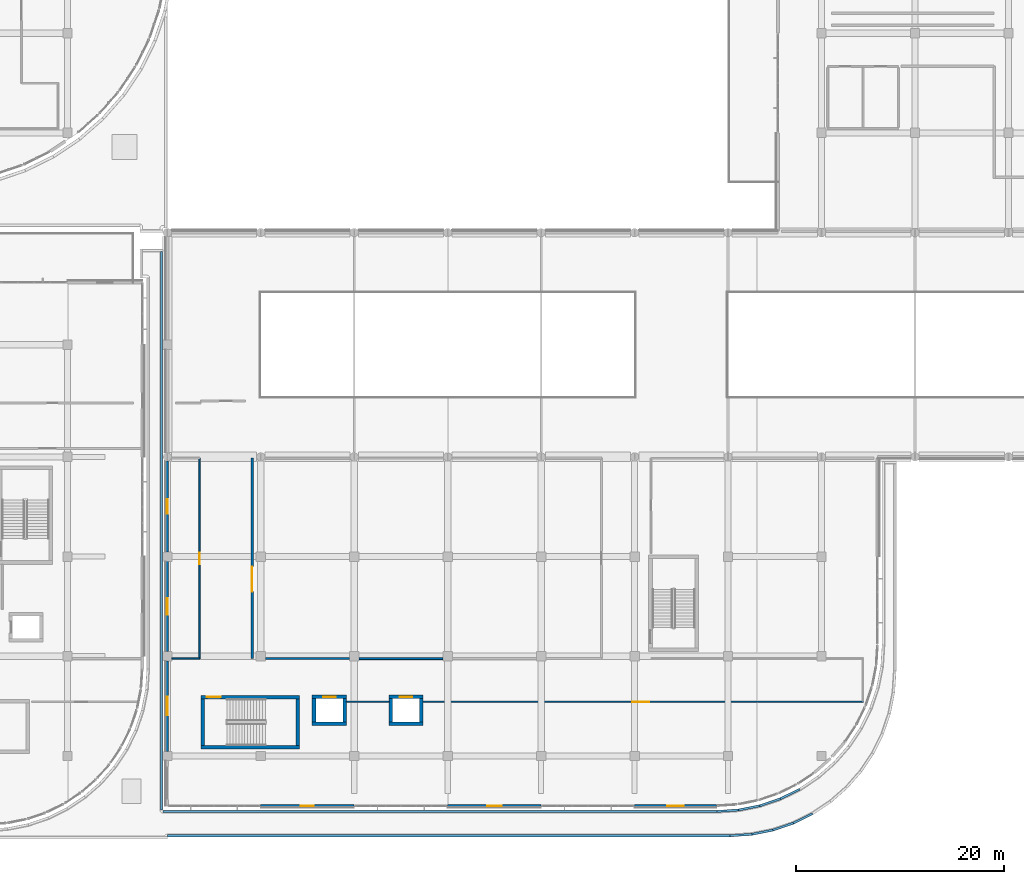
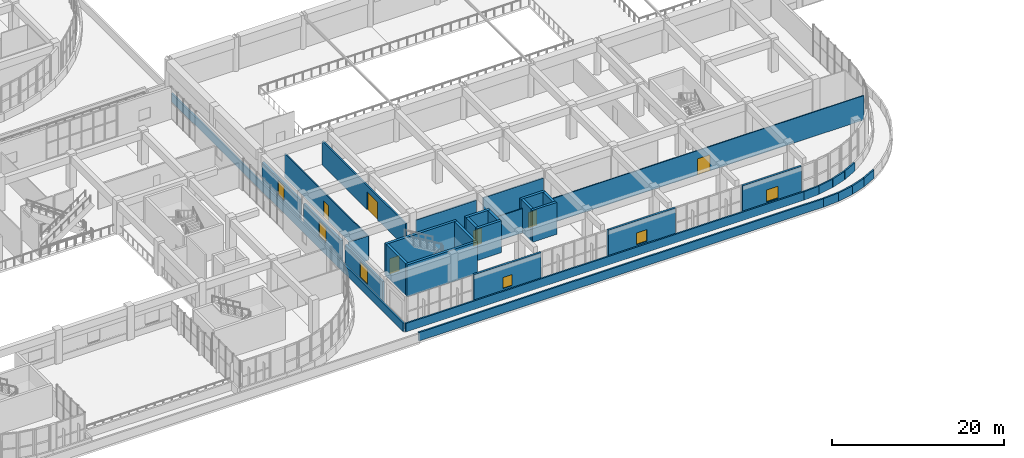
# One storey, part 65 of 96: 36 walls, 6 doors, 6 windows, 12 openings.
"""IFC4 building model written with IfcOpenShell, lengths in metres."""

import ifcopenshell
import ifcopenshell.guid

model = None  # the IFC model being written
_history = None  # IfcOwnerHistory: only IFC2X3 demands one
_inside = {}  # id of a spatial element -> (the spatial element, [elements in it])
_under = {}  # id of a project, library or spatial element -> (it, [spatial elements below it])
_declared = {}  # id of a project -> (the project, [libraries it declares])
_typed = {}  # id of a type object -> (the type object, [elements of that type])
_made_of = {}  # id of a material, layer set ... -> (it, [elements and type objects made of it])


def new_model(schema):
    """Start an empty IFC model of exactly this schema.

    Asked for "IFC4X3", IfcOpenShell would pick the latest addendum, in which some entities
    have other attributes; the version numbers below select the first issue.
    IFC2X3 requires an IfcOwnerHistory on every rooted entity: one is made here for all.
    """
    global model, _history
    if schema == "IFC4X3":
        model = ifcopenshell.file(schema_version=(4, 3, 0, 0))
    else:
        model = ifcopenshell.file(schema=schema)
    _inside.clear()
    _under.clear()
    _declared.clear()
    _typed.clear()
    _made_of.clear()
    _history = None
    if model.schema == "IFC2X3":
        org = make("IfcOrganization", Name="unknown")
        user = make(
            "IfcPersonAndOrganization",
            ThePerson=make("IfcPerson", FamilyName="unknown"),
            TheOrganization=org,
        )
        app = make(
            "IfcApplication",
            ApplicationDeveloper=org,
            Version="unknown",
            ApplicationFullName="unknown",
            ApplicationIdentifier="unknown",
        )
        _history = make(
            "IfcOwnerHistory",
            OwningUser=user,
            OwningApplication=app,
            ChangeAction="ADDED",
            CreationDate=0,
        )
    return model


def make(cls, **values):
    """One entity of the class cls with the attributes given. An attribute that is None is left unset."""
    return model.create_entity(
        cls, **{name: value for name, value in values.items() if value is not None}
    )


def rooted(cls, **values):
    """An entity with a GlobalId (a new one), such as an element, a storey or a relation."""
    return make(cls, GlobalId=ifcopenshell.guid.new(), OwnerHistory=_history, **values)


def si_unit(unit_type, name, prefix=None):
    """IfcSIUnit, for example si_unit("LENGTHUNIT", "METRE", prefix="MILLI")."""
    return make("IfcSIUnit", UnitType=unit_type, Prefix=prefix, Name=name)


def assignment(units):
    """IfcUnitAssignment: the units of a project."""
    return None if units is None else make("IfcUnitAssignment", Units=units)


def point(xyz):
    """IfcCartesianPoint."""
    return None if xyz is None else make("IfcCartesianPoint", Coordinates=xyz)


def direction(xyz):
    """IfcDirection."""
    return None if xyz is None else make("IfcDirection", DirectionRatios=xyz)


def frame(location, z_axis=None, x_axis=None):
    """IfcAxis2Placement3D, a coordinate frame: its origin and axes. An axis left out is left unset."""
    return make(
        "IfcAxis2Placement3D",
        Location=point(location),
        Axis=direction(z_axis),
        RefDirection=direction(x_axis),
    )


def frame_2d(location, x_axis=None):
    """IfcAxis2Placement2D, a coordinate frame in the plane: its origin and x axis."""
    return make(
        "IfcAxis2Placement2D", Location=point(location), RefDirection=direction(x_axis)
    )


def origin():
    """The frame at (0, 0, 0) with its axes left unset."""
    return frame((0.0, 0.0, 0.0))


def place(relative_to, where):
    """IfcLocalPlacement: puts the frame where relative to a parent placement (None: the world)."""
    return make(
        "IfcLocalPlacement", PlacementRelTo=relative_to, RelativePlacement=where
    )


def context(
    kind, dimensions, precision=None, world=None, true_north=None, identifier=None
):
    """IfcGeometricRepresentationContext, for example the 3D "Model" context."""
    return make(
        "IfcGeometricRepresentationContext",
        ContextIdentifier=identifier,
        ContextType=kind,
        CoordinateSpaceDimension=dimensions,
        Precision=precision,
        WorldCoordinateSystem=world,
        TrueNorth=true_north,
    )


def subcontext(parent, identifier, kind, view, scale=None):
    """IfcGeometricRepresentationSubContext, for example "Body" below "Model"."""
    return make(
        "IfcGeometricRepresentationSubContext",
        ContextIdentifier=identifier,
        ContextType=kind,
        ParentContext=parent,
        TargetScale=scale,
        TargetView=view,
    )


def project(units=None, contexts=None):
    """IfcProject with its units and contexts."""
    return rooted(
        "IfcProject",
        Name="project",
        RepresentationContexts=contexts,
        UnitsInContext=assignment(units),
    )


def spatial(cls, under=None, at=None, **own):
    """A site, building, storey or space (cls), placed at a placement, below another one or the project."""
    s = rooted(cls, ObjectPlacement=at, **own)
    if under is not None:
        _under.setdefault(under.id(), (under, []))[1].append(s)
    return s


def profile(cls, at=None, kind="AREA", **sizes):
    """A parametric profile (cls). Its sizes go by their IFC names, for example OverallWidth=200.0."""
    return make(cls, ProfileType=kind, Position=at, **sizes)


def rectangle(**sizes):
    """IfcRectangleProfileDef."""
    return profile("IfcRectangleProfileDef", **sizes)


def extrude(swept, where, along, depth):
    """IfcExtrudedAreaSolid: the profile swept, set in the frame where, extruded along a direction by depth."""
    return make(
        "IfcExtrudedAreaSolid",
        SweptArea=swept,
        Position=where,
        ExtrudedDirection=direction(along),
        Depth=depth,
    )


def shape(context_of_items, identifier, shape_type, items):
    """IfcShapeRepresentation: the items that make up one representation, for example the "Body"."""
    return make(
        "IfcShapeRepresentation",
        ContextOfItems=context_of_items,
        RepresentationIdentifier=identifier,
        RepresentationType=shape_type,
        Items=items,
    )


def material(Name=None, Category=None):
    """IfcMaterial."""
    return make("IfcMaterial", Name=Name, Category=Category)


def layer(
    of_material, thickness, ventilated=None, Name=None, Category=None, Priority=None
):
    """IfcMaterialLayer: one layer of a wall or slab, of a material (None: an air gap)."""
    return make(
        "IfcMaterialLayer",
        Material=of_material,
        LayerThickness=thickness,
        IsVentilated=ventilated,
        Name=Name,
        Category=Category,
        Priority=Priority,
    )


def layer_set(layers, Name=None):
    """IfcMaterialLayerSet."""
    return make("IfcMaterialLayerSet", MaterialLayers=layers, LayerSetName=Name)


def made_of(thing, what):
    """Note that an element or type object is made of a material, layer set ...; save() writes the relation."""
    if what is not None:
        _made_of.setdefault(what.id(), (what, []))[1].append(thing)
    return thing


def type_object(cls, material=None, **own):
    """A type object (cls), such as IfcWallType, which elements share."""
    return made_of(rooted(cls, **own), material)


def element(
    cls,
    number,
    at=None,
    inside=None,
    cuts=None,
    type_object=None,
    material=None,
    context=None,
    identifier="Body",
    shape_type=None,
    held_by="IfcProductDefinitionShape",
    body=None,
    shapes=None,
    **own,
):
    """One element of the class cls, such as IfcWall. Its Tag is "e" and its number.

    at: its placement. inside: the storey or other place that contains it. cuts: it is an
    opening in that element (IfcRelVoidsElement). A single representation is given by context,
    identifier, shape_type and body (its items); several are given by shapes. held_by: the class
    of the entity that holds the representations. save() writes the other relations.
    """
    e = rooted(cls, Tag="e%d" % number, ObjectPlacement=at, **own)
    if body is not None:
        shapes = [shape(context, identifier, shape_type, body)]
    if shapes is not None:
        e.Representation = make(held_by, Representations=shapes)
    if inside is not None:
        _inside.setdefault(inside.id(), (inside, []))[1].append(e)
    if cuts is not None:
        rooted(
            "IfcRelVoidsElement", RelatingBuildingElement=cuts, RelatedOpeningElement=e
        )
    if type_object is not None:
        _typed.setdefault(type_object.id(), (type_object, []))[1].append(e)
    return made_of(e, material)


def fill(opening, filler):
    """IfcRelFillsElement: the door or window that sits in an opening."""
    return rooted(
        "IfcRelFillsElement",
        RelatingOpeningElement=opening,
        RelatedBuildingElement=filler,
    )


def aggregate(whole, parts):
    """IfcRelAggregates: a whole, such as a stair, and the parts it consists of."""
    return rooted("IfcRelAggregates", RelatingObject=whole, RelatedObjects=parts)


def save(model, path):
    """Write the relations noted so far, then the file.

    IfcRelAggregates (storeys below a building ...), IfcRelContainedInSpatialStructure (elements
    in a storey), IfcRelDefinesByType, IfcRelAssociatesMaterial and IfcRelDeclares: one each for
    every whole, place, type object, material and project.
    """
    for whole, parts in _under.values():
        aggregate(whole, parts)
    for where, things in _inside.values():
        rooted(
            "IfcRelContainedInSpatialStructure",
            RelatedElements=things,
            RelatingStructure=where,
        )
    for kind, things in _typed.values():
        rooted("IfcRelDefinesByType", RelatedObjects=things, RelatingType=kind)
    for what, things in _made_of.values():
        rooted("IfcRelAssociatesMaterial", RelatedObjects=things, RelatingMaterial=what)
    for by, libraries in _declared.values():
        rooted("IfcRelDeclares", RelatingContext=by, RelatedDefinitions=libraries)
    model.write(path)


model = new_model("IFC4")

# Units and contexts
model_context = context("Model", 3, precision=1e-05, world=origin(), true_north=direction((0.0, 1.0)))
body_context = subcontext(model_context, "Body", "Model", "MODEL_VIEW")
ifc_project = project(units=[si_unit("LENGTHUNIT", "METRE"), si_unit("AREAUNIT", "SQUARE_METRE"), si_unit("VOLUMEUNIT", "CUBIC_METRE"), si_unit("PLANEANGLEUNIT", "RADIAN"), si_unit("MASSUNIT", "GRAM", prefix="KILO")], contexts=[model_context])

# Site, building, storey
site_placement = place(None, origin())
site = spatial("IfcSite", under=ifc_project, at=site_placement, CompositionType="ELEMENT")
building_placement = place(site_placement, origin())
building = spatial("IfcBuilding", under=site, at=building_placement, Name="Cendralis Terraced Arcade", CompositionType="ELEMENT")
storey_placement = place(building_placement, frame((0.0, 0.0, 10.199951171875)))
storey = spatial("IfcBuildingStorey", under=building, at=storey_placement, Name="L02", CompositionType="ELEMENT", Elevation=10.199951171875)

# Wall
ifc_material_1 = material(Name="Gypsum plasterboard acoustic partition", Category="concrete")
ifc_layer_1 = layer(ifc_material_1, 0.195068359375, Name="WL-ACOU-195")
ifc_layer_set_1 = layer_set([ifc_layer_1], Name="Gypsum plasterboard acoustic partition")
wall_type_1 = type_object("IfcWallType", Name="WL-ACOU-195", PredefinedType="PARTITIONING", material=ifc_layer_set_1)
wall_1_placement = place(storey_placement, frame((84.72998046875, 18.97998046875, 0.0), z_axis=(0.0, 0.0, 1.0), x_axis=(-1.0, 0.0, 0.0)))
element("IfcWall", 1, at=wall_1_placement, inside=storey, type_object=wall_type_1, Name="Interior Partition Wall IW-L02-0488", PredefinedType="PARTITIONING", context=body_context, shape_type="SweptSolid", body=[
    extrude(rectangle(XDim=8.06005859375, YDim=0.195068359375, at=frame_2d((4.030029296875, 0.0))), origin(), (0.0, 0.0, 1.0), 3.455078125),
])

# Wall, opening, door
ifc_layer_2 = layer(ifc_material_1, 0.205078125, Name="WL-ACOU-205")
ifc_layer_set_2 = layer_set([ifc_layer_2], Name="Gypsum plasterboard acoustic partition")
wall_type_2 = type_object("IfcWallType", Name="WL-ACOU-205", PredefinedType="PARTITIONING", material=ifc_layer_set_2)
wall_2_placement = place(storey_placement, frame((75.3798828125, 18.97998046875, 0.0), z_axis=(0.0, 0.0, 1.0), x_axis=(0.0, 1.0, 0.0)))
wall_2 = element("IfcWall", 2, at=wall_2_placement, inside=storey, type_object=wall_type_2, Name="Interior Partition Wall IW-L02-0486", PredefinedType="PARTITIONING", context=body_context, shape_type="SweptSolid", body=[
    extrude(rectangle(XDim=19.300048828125, YDim=0.205078125, at=frame_2d((9.64990234375, 0.0))), origin(), (0.0, 0.0, 1.0), 3.39013671875),
])
opening_1_placement = place(wall_2_placement, frame((6.449951171875, 0.0, 0.0)))
opening_1 = element("IfcOpeningElement", 3, at=opening_1_placement, cuts=wall_2, Name="Opening D-L02-133", PredefinedType="OPENING", context=body_context, shape_type="SweptSolid", body=[
    extrude(rectangle(XDim=2.39990234375, YDim=2.550048828125, at=frame_2d((1.199951171875, 1.27490234375))), frame((0.0, 0.114501953125, 0.0), z_axis=(0.0, -1.0, 0.0), x_axis=(1.0, 0.0, 0.0)), (0.0, 0.0, 1.0), 0.22900390625),
])
ifc_material_2 = material(Name="Solid core Andean oak veneer door leaf", Category="aluminium")
door_type_1 = type_object("IfcDoorType", Name="ID-DEP-2400x2550", OperationType="DOUBLE_DOOR_SINGLE_SWING", PredefinedType="DOOR", material=ifc_material_2)
door_1_placement = place(opening_1_placement, origin())
door_1 = element("IfcDoor", 4, at=door_1_placement, inside=storey, type_object=door_type_1, Name="Artisan Coffee Roastery and Cafe Gallery Door D-L02-133", OperationType="DOUBLE_DOOR_SINGLE_SWING", OverallHeight=2.550048828125, OverallWidth=2.39990234375, PredefinedType="DOOR", context=body_context, shape_type="SweptSolid", body=[
    extrude(rectangle(XDim=2.39990234375, YDim=2.550048828125, at=frame_2d((1.199951171875, 1.27490234375))), frame((0.0, 0.02490234375, 0.0), z_axis=(0.0, -1.0, 0.0), x_axis=(1.0, 0.0, 0.0)), (0.0, 0.0, 1.0), 0.050048828125),
])
fill(opening_1, door_1)

# Wall
ifc_material_3 = material(Name="Concrete f'c 42 MPa", Category="concrete")
ifc_layer_3 = layer(ifc_material_3, 0.340087890625, Name="WL-CORE-340")
ifc_layer_set_3 = layer_set([ifc_layer_3], Name="Concrete f'c 42 MPa")
wall_type_3 = type_object("IfcWallType", Name="WL-CORE-340", PredefinedType="SHEAR", material=ifc_layer_set_3)
wall_3_placement = place(storey_placement, frame((70.4599609375, 10.429931640625, 0.0), z_axis=(0.0, 0.0, 1.0), x_axis=(1.0, 0.0, 0.0)))
element("IfcWall", 5, at=wall_3_placement, inside=storey, type_object=wall_type_3, Name="Stair Core Reinforced Concrete Shear Wall SW-ST-08-L02-S", PredefinedType="SHEAR", context=body_context, shape_type="SweptSolid", body=[
    extrude(rectangle(XDim=9.47998046875, YDim=0.340087890625, at=frame_2d((4.739990234375, 0.0))), origin(), (0.0, 0.0, 1.0), 4.51513671875),
])

# Wall, opening, door
wall_4_placement = place(storey_placement, frame((70.4599609375, 15.27001953125, 0.0), z_axis=(0.0, 0.0, 1.0), x_axis=(1.0, 0.0, 0.0)))
wall_4 = element("IfcWall", 6, at=wall_4_placement, inside=storey, type_object=wall_type_3, Name="Stair Core Reinforced Concrete Shear Wall SW-ST-08-L02-N", PredefinedType="SHEAR", context=body_context, shape_type="SweptSolid", body=[
    extrude(rectangle(XDim=9.47998046875, YDim=0.340087890625, at=frame_2d((4.739990234375, 0.0))), origin(), (0.0, 0.0, 1.0), 4.51513671875),
])
opening_2_placement = place(wall_4_placement, frame((0.550048828125, 0.0, 0.0)))
opening_2 = element("IfcOpeningElement", 7, at=opening_2_placement, cuts=wall_4, Name="Opening D-ST-08-L02", PredefinedType="OPENING", context=body_context, shape_type="SweptSolid", body=[
    extrude(rectangle(XDim=1.35009765625, YDim=2.199951171875, at=frame_2d((0.675048828125, 1.10009765625))), frame((0.0, 0.18212890625, 0.0), z_axis=(0.0, -1.0, 0.0), x_axis=(1.0, 0.0, 0.0)), (0.0, 0.0, 1.0), 0.364013671875),
])
ifc_material_4 = material(Name="Galvanised fire-rated steel door assembly", Category="steel")
door_type_2 = type_object("IfcDoorType", Name="ID-ST-1350x2200", OperationType="NOTDEFINED", PredefinedType="DOOR", material=ifc_material_4)
door_2_placement = place(opening_2_placement, frame((1.35009765625, 0.0, 0.0), z_axis=(0.0, 0.0, 1.0), x_axis=(-1.0, 0.0, 0.0)))
door_2 = element("IfcDoor", 8, at=door_2_placement, inside=storey, type_object=door_type_2, Name="Protected Stair ST-08 Fire Door (L02)", OperationType="SINGLE_SWING_RIGHT", OverallHeight=2.199951171875, OverallWidth=1.35009765625, PredefinedType="DOOR", context=body_context, shape_type="SweptSolid", body=[
    extrude(rectangle(XDim=1.35009765625, YDim=2.199951171875, at=frame_2d((0.675048828125, 1.10009765625))), frame((0.0, 0.02490234375, 0.0), z_axis=(0.0, -1.0, 0.0), x_axis=(1.0, 0.0, 0.0)), (0.0, 0.0, 1.0), 0.050048828125),
])
fill(opening_2, door_2)

# Walls
for number, where, z_axis, x_axis, name in (
    (9, (79.77001953125, 10.60009765625, 0.0), (0.0, 0.0, 1.0), (0.0, 1.0, 0.0), "Stair Core Reinforced Concrete Shear Wall SW-ST-08-L02-E"),
    (10, (70.6298828125, 10.60009765625, 0.0), (0.0, 0.0, 1.0), (0.0, 1.0, 0.0), "Stair Core Reinforced Concrete Shear Wall SW-ST-08-L02-W"),
):
    element("IfcWall", number, at=place(storey_placement, frame(where, z_axis=z_axis, x_axis=x_axis)), inside=storey, type_object=wall_type_3, Name=name, PredefinedType="SHEAR", context=body_context, shape_type="SweptSolid", body=[
        extrude(rectangle(XDim=4.5, YDim=0.340087890625, at=frame_2d((2.25, 0.0))), origin(), (0.0, 0.0, 1.0), 4.51513671875),
    ])
wall_5_placement = place(storey_placement, frame((81.159912109375, 12.705078125, 0.0), z_axis=(0.0, 0.0, 1.0), x_axis=(1.0, 0.0, 0.0)))
element("IfcWall", 11, at=wall_5_placement, inside=storey, type_object=wall_type_3, Name="Lift PL-07 Reinforced Concrete Shaft Wall (L02)", PredefinedType="SHEAR", context=body_context, shape_type="SweptSolid", body=[
    extrude(rectangle(XDim=3.280029296875, YDim=0.340087890625, at=frame_2d((1.64013671875, 0.0))), origin(), (0.0, 0.0, 1.0), 4.51513671875),
])

# Wall, opening, door
wall_6_placement = place(storey_placement, frame((81.159912109375, 15.294921875, 0.0), z_axis=(0.0, 0.0, 1.0), x_axis=(1.0, 0.0, 0.0)))
wall_6 = element("IfcWall", 12, at=wall_6_placement, inside=storey, type_object=wall_type_3, Name="Lift PL-07 Reinforced Concrete Shaft Wall (L02)", PredefinedType="SHEAR", context=body_context, shape_type="SweptSolid", body=[
    extrude(rectangle(XDim=3.280029296875, YDim=0.340087890625, at=frame_2d((1.64013671875, 0.0))), origin(), (0.0, 0.0, 1.0), 4.51513671875),
])
opening_3_placement = place(wall_6_placement, frame((1.0400390625, 0.0, 0.0)))
opening_3 = element("IfcOpeningElement", 13, at=opening_3_placement, cuts=wall_6, Name="Opening LD-PL-07-L02", PredefinedType="OPENING", context=body_context, shape_type="SweptSolid", body=[
    extrude(rectangle(XDim=1.199951171875, YDim=2.199951171875, at=frame_2d((0.60009765625, 1.10009765625))), frame((0.0, 0.18212890625, 0.0), z_axis=(0.0, -1.0, 0.0), x_axis=(1.0, 0.0, 0.0)), (0.0, 0.0, 1.0), 0.364013671875),
])
ifc_material_5 = material(Name="Anodised aluminium sliding door assembly", Category="aluminium")
door_type_3 = type_object("IfcDoorType", Name="ID-LD-PX-1200x2200", OperationType="DOUBLE_DOOR_SLIDING", PredefinedType="DOOR", material=ifc_material_5)
door_3_placement = place(opening_3_placement, origin())
door_3 = element("IfcDoor", 14, at=door_3_placement, inside=storey, type_object=door_type_3, Name="Lift PL-07 Sliding Landing Door (L02)", OperationType="DOUBLE_DOOR_SLIDING", OverallHeight=2.199951171875, OverallWidth=1.199951171875, PredefinedType="DOOR", context=body_context, shape_type="SweptSolid", body=[
    extrude(rectangle(XDim=1.199951171875, YDim=2.199951171875, at=frame_2d((0.60009765625, 1.10009765625))), frame((0.0, 0.02490234375, 0.0), z_axis=(0.0, -1.0, 0.0), x_axis=(1.0, 0.0, 0.0)), (0.0, 0.0, 1.0), 0.050048828125),
])
fill(opening_3, door_3)

# Walls
for number, where, z_axis, x_axis, name in (
    (15, (81.330078125, 12.875, 0.0), (0.0, 0.0, 1.0), (0.0, 1.0, 0.0), "Lift PL-07 Reinforced Concrete Shaft Wall (L02)"),
    (16, (84.27001953125, 12.875, 0.0), (0.0, 0.0, 1.0), (0.0, 1.0, 0.0), "Lift PL-07 Reinforced Concrete Shaft Wall (L02)"),
):
    element("IfcWall", number, at=place(storey_placement, frame(where, z_axis=z_axis, x_axis=x_axis)), inside=storey, type_object=wall_type_3, Name=name, PredefinedType="SHEAR", context=body_context, shape_type="SweptSolid", body=[
        extrude(rectangle(XDim=2.25, YDim=0.340087890625, at=frame_2d((1.125, 0.0))), origin(), (0.0, 0.0, 1.0), 4.51513671875),
    ])
wall_7_placement = place(storey_placement, frame((88.56005859375, 12.705078125, 0.0), z_axis=(0.0, 0.0, 1.0), x_axis=(1.0, 0.0, 0.0)))
element("IfcWall", 17, at=wall_7_placement, inside=storey, type_object=wall_type_3, Name="Lift PL-08 Reinforced Concrete Shaft Wall (L02)", PredefinedType="SHEAR", context=body_context, shape_type="SweptSolid", body=[
    extrude(rectangle(XDim=3.280029296875, YDim=0.340087890625, at=frame_2d((1.64013671875, 0.0))), origin(), (0.0, 0.0, 1.0), 4.51513671875),
])

# Wall, opening, door
wall_8_placement = place(storey_placement, frame((88.56005859375, 15.294921875, 0.0), z_axis=(0.0, 0.0, 1.0), x_axis=(1.0, 0.0, 0.0)))
wall_8 = element("IfcWall", 18, at=wall_8_placement, inside=storey, type_object=wall_type_3, Name="Lift PL-08 Reinforced Concrete Shaft Wall (L02)", PredefinedType="SHEAR", context=body_context, shape_type="SweptSolid", body=[
    extrude(rectangle(XDim=3.280029296875, YDim=0.340087890625, at=frame_2d((1.64013671875, 0.0))), origin(), (0.0, 0.0, 1.0), 4.51513671875),
])
opening_4_placement = place(wall_8_placement, frame((1.0400390625, 0.0, 0.0)))
opening_4 = element("IfcOpeningElement", 19, at=opening_4_placement, cuts=wall_8, Name="Opening LD-PL-08-L02", PredefinedType="OPENING", context=body_context, shape_type="SweptSolid", body=[
    extrude(rectangle(XDim=1.199951171875, YDim=2.199951171875, at=frame_2d((0.60009765625, 1.10009765625))), frame((0.0, 0.18212890625, 0.0), z_axis=(0.0, -1.0, 0.0), x_axis=(1.0, 0.0, 0.0)), (0.0, 0.0, 1.0), 0.364013671875),
])
door_4_placement = place(opening_4_placement, origin())
door_4 = element("IfcDoor", 20, at=door_4_placement, inside=storey, type_object=door_type_3, Name="Lift PL-08 Sliding Landing Door (L02)", OperationType="DOUBLE_DOOR_SLIDING", OverallHeight=2.199951171875, OverallWidth=1.199951171875, PredefinedType="DOOR", context=body_context, shape_type="SweptSolid", body=[
    extrude(rectangle(XDim=1.199951171875, YDim=2.199951171875, at=frame_2d((0.60009765625, 1.10009765625))), frame((0.0, 0.02490234375, 0.0), z_axis=(0.0, -1.0, 0.0), x_axis=(1.0, 0.0, 0.0)), (0.0, 0.0, 1.0), 0.050048828125),
])
fill(opening_4, door_4)

# Walls
for number, where, z_axis, x_axis, name in (
    (21, (88.72998046875, 12.875, 0.0), (0.0, 0.0, 1.0), (0.0, 1.0, 0.0), "Lift PL-08 Reinforced Concrete Shaft Wall (L02)"),
    (22, (91.669921875, 12.875, 0.0), (0.0, 0.0, 1.0), (0.0, 1.0, 0.0), "Lift PL-08 Reinforced Concrete Shaft Wall (L02)"),
):
    element("IfcWall", number, at=place(storey_placement, frame(where, z_axis=z_axis, x_axis=x_axis)), inside=storey, type_object=wall_type_3, Name=name, PredefinedType="SHEAR", context=body_context, shape_type="SweptSolid", body=[
        extrude(rectangle(XDim=2.25, YDim=0.340087890625, at=frame_2d((1.125, 0.0))), origin(), (0.0, 0.0, 1.0), 4.51513671875),
    ])

# Wall, opening, window
ifc_material_6 = material(Name="Terracotta clay masonry", Category="masonry")
ifc_layer_4 = layer(ifc_material_6, 0.264892578125, Name="WL-EXT-TER-265")
ifc_layer_set_4 = layer_set([ifc_layer_4], Name="Terracotta clay masonry")
wall_type_4 = type_object("IfcWallType", Name="WL-EXT-TER-265", PredefinedType="SOLIDWALL", material=ifc_layer_set_4)
wall_9_placement = place(storey_placement, frame((120.10009765625, 4.800048828125, 0.0), z_axis=(0.0, 0.0, 1.0), x_axis=(-1.0, 0.0, 0.0)))
wall_9 = element("IfcWall", 23, at=wall_9_placement, inside=storey, type_object=wall_type_4, Name="Exterior Architectural Wall EW-L02-0204", PredefinedType="SOLIDWALL", context=body_context, shape_type="SweptSolid", body=[
    extrude(rectangle(XDim=7.900146484375, YDim=0.264892578125, at=frame_2d((3.9501953125, 0.0))), origin(), (0.0, 0.0, 1.0), 4.51513671875),
])
opening_5_placement = place(wall_9_placement, frame((3.14990234375, 0.0, 1.10009765625)))
opening_5 = element("IfcOpeningElement", 24, at=opening_5_placement, cuts=wall_9, Name="Opening W-28", PredefinedType="OPENING", context=body_context, shape_type="SweptSolid", body=[
    extrude(rectangle(XDim=1.60009765625, YDim=1.699951171875, at=frame_2d((0.800048828125, 0.85009765625))), frame((0.0, 0.14453125, 0.0), z_axis=(0.0, -1.0, 0.0), x_axis=(1.0, 0.0, 0.0)), (0.0, 0.0, 1.0), 0.288818359375),
])
ifc_material_7 = material(Name="Tempered solar control laminated glass", Category="glass")
window_type_1 = type_object("IfcWindowType", Name="WN-F3-1600x1700", PartitioningType="SINGLE_PANEL", PredefinedType="WINDOW", material=ifc_material_7)
window_1_placement = place(opening_5_placement, origin())
window_1 = element("IfcWindow", 25, at=window_1_placement, inside=storey, type_object=window_type_1, Name="Exterior Solar-Control Window WN-L02-0124", OverallHeight=1.699951171875, OverallWidth=1.60009765625, PartitioningType="SINGLE_PANEL", PredefinedType="WINDOW", context=body_context, shape_type="SweptSolid", body=[
    extrude(rectangle(XDim=1.60009765625, YDim=1.699951171875, at=frame_2d((0.800048828125, 0.85009765625))), frame((0.0, 0.030029296875, 0.0), z_axis=(0.0, -1.0, 0.0), x_axis=(1.0, 0.0, 0.0)), (0.0, 0.0, 1.0), 0.06005859375),
])
fill(opening_5, window_1)

wall_10_placement = place(storey_placement, frame((103.199951171875, 4.800048828125, 0.0), z_axis=(0.0, 0.0, 1.0), x_axis=(-1.0, 0.0, 0.0)))
wall_10 = element("IfcWall", 26, at=wall_10_placement, inside=storey, type_object=wall_type_4, Name="Exterior Architectural Wall EW-L02-0205", PredefinedType="SOLIDWALL", context=body_context, shape_type="SweptSolid", body=[
    extrude(rectangle(XDim=9.0, YDim=0.264892578125, at=frame_2d((4.5, 0.0))), origin(), (0.0, 0.0, 1.0), 4.51513671875),
])
opening_6_placement = place(wall_10_placement, frame((3.800048828125, 0.0, 1.14990234375)))
opening_6 = element("IfcOpeningElement", 27, at=opening_6_placement, cuts=wall_10, Name="Opening W-29", PredefinedType="OPENING", context=body_context, shape_type="SweptSolid", body=[
    extrude(rectangle(XDim=1.39990234375, YDim=1.64990234375, at=frame_2d((0.699951171875, 0.824951171875))), frame((0.0, 0.14453125, 0.0), z_axis=(0.0, -1.0, 0.0), x_axis=(1.0, 0.0, 0.0)), (0.0, 0.0, 1.0), 0.288818359375),
])
window_type_2 = type_object("IfcWindowType", Name="WN-F3-1400x1650", PartitioningType="SINGLE_PANEL", PredefinedType="WINDOW", material=ifc_material_7)
window_2_placement = place(opening_6_placement, origin())
window_2 = element("IfcWindow", 28, at=window_2_placement, inside=storey, type_object=window_type_2, Name="Exterior Solar-Control Window WN-L02-0125", OverallHeight=1.64990234375, OverallWidth=1.39990234375, PartitioningType="SINGLE_PANEL", PredefinedType="WINDOW", context=body_context, shape_type="SweptSolid", body=[
    extrude(rectangle(XDim=1.39990234375, YDim=1.64990234375, at=frame_2d((0.699951171875, 0.824951171875))), frame((0.0, 0.030029296875, 0.0), z_axis=(0.0, -1.0, 0.0), x_axis=(1.0, 0.0, 0.0)), (0.0, 0.0, 1.0), 0.06005859375),
])
fill(opening_6, window_2)

wall_11_placement = place(storey_placement, frame((85.199951171875, 4.800048828125, 0.0), z_axis=(0.0, 0.0, 1.0), x_axis=(-1.0, 0.0, 0.0)))
wall_11 = element("IfcWall", 29, at=wall_11_placement, inside=storey, type_object=wall_type_4, Name="Exterior Architectural Wall EW-L02-0206", PredefinedType="SOLIDWALL", context=body_context, shape_type="SweptSolid", body=[
    extrude(rectangle(XDim=9.0, YDim=0.264892578125, at=frame_2d((4.5, 0.0))), origin(), (0.0, 0.0, 1.0), 4.51513671875),
])
opening_7_placement = place(wall_11_placement, frame((3.875, 0.0, 1.199951171875)))
opening_7 = element("IfcOpeningElement", 30, at=opening_7_placement, cuts=wall_11, Name="Opening W-30", PredefinedType="OPENING", context=body_context, shape_type="SweptSolid", body=[
    extrude(rectangle(XDim=1.25, YDim=1.550048828125, at=frame_2d((0.625, 0.77490234375))), frame((0.0, 0.14453125, 0.0), z_axis=(0.0, -1.0, 0.0), x_axis=(1.0, 0.0, 0.0)), (0.0, 0.0, 1.0), 0.288818359375),
])
window_type_3 = type_object("IfcWindowType", Name="WN-F3-1250x1550", PartitioningType="SINGLE_PANEL", PredefinedType="WINDOW", material=ifc_material_7)
window_3_placement = place(opening_7_placement, origin())
window_3 = element("IfcWindow", 31, at=window_3_placement, inside=storey, type_object=window_type_3, Name="Exterior Solar-Control Window WN-L02-0126", OverallHeight=1.550048828125, OverallWidth=1.25, PartitioningType="SINGLE_PANEL", PredefinedType="WINDOW", context=body_context, shape_type="SweptSolid", body=[
    extrude(rectangle(XDim=1.25, YDim=1.550048828125, at=frame_2d((0.625, 0.77490234375))), frame((0.0, 0.030029296875, 0.0), z_axis=(0.0, -1.0, 0.0), x_axis=(1.0, 0.0, 0.0)), (0.0, 0.0, 1.0), 0.06005859375),
])
fill(opening_7, window_3)

wall_12_placement = place(storey_placement, frame((67.199951171875, 10.048095703125, 0.0), z_axis=(0.0, 0.0, 1.0), x_axis=(0.0, 1.0, 0.0)))
wall_12 = element("IfcWall", 32, at=wall_12_placement, inside=storey, type_object=wall_type_4, Name="Exterior Architectural Wall EW-L02-0208", PredefinedType="SOLIDWALL", context=body_context, shape_type="SweptSolid", body=[
    extrude(rectangle(XDim=8.703857421875, YDim=0.264892578125, at=frame_2d((4.35205078125, 0.0))), origin(), (0.0, 0.0, 1.0), 3.455078125),
])
opening_8_placement = place(wall_12_placement, frame((3.451904296875, 0.0, 0.949951171875)))
opening_8 = element("IfcOpeningElement", 33, at=opening_8_placement, cuts=wall_12, Name="Opening W-04", PredefinedType="OPENING", context=body_context, shape_type="SweptSolid", body=[
    extrude(rectangle(XDim=1.800048828125, YDim=2.199951171875, at=frame_2d((0.89990234375, 1.10009765625))), frame((0.0, 0.14453125, 0.0), z_axis=(0.0, -1.0, 0.0), x_axis=(1.0, 0.0, 0.0)), (0.0, 0.0, 1.0), 0.288818359375),
])
window_type_4 = type_object("IfcWindowType", Name="WN-F1-1800x2200", PartitioningType="SINGLE_PANEL", PredefinedType="WINDOW", material=ifc_material_7)
window_4_placement = place(opening_8_placement, origin())
window_4 = element("IfcWindow", 34, at=window_4_placement, inside=storey, type_object=window_type_4, Name="Exterior Solar-Control Window WN-L02-0128", OverallHeight=2.199951171875, OverallWidth=1.800048828125, PartitioningType="SINGLE_PANEL", PredefinedType="WINDOW", context=body_context, shape_type="SweptSolid", body=[
    extrude(rectangle(XDim=1.800048828125, YDim=2.199951171875, at=frame_2d((0.89990234375, 1.10009765625))), frame((0.0, 0.030029296875, 0.0), z_axis=(0.0, -1.0, 0.0), x_axis=(1.0, 0.0, 0.0)), (0.0, 0.0, 1.0), 0.06005859375),
])
fill(opening_8, window_4)

wall_13_placement = place(storey_placement, frame((67.199951171875, 19.64794921875, 0.0), z_axis=(0.0, 0.0, 1.0), x_axis=(0.0, 1.0, 0.0)))
wall_13 = element("IfcWall", 35, at=wall_13_placement, inside=storey, type_object=wall_type_4, Name="Exterior Architectural Wall EW-L02-0209", PredefinedType="SOLIDWALL", context=body_context, shape_type="SweptSolid", body=[
    extrude(rectangle(XDim=8.7041015625, YDim=0.264892578125, at=frame_2d((4.35205078125, 0.0))), origin(), (0.0, 0.0, 1.0), 3.455078125),
])
opening_9_placement = place(wall_13_placement, frame((3.552001953125, 0.0, 1.0)))
opening_9 = element("IfcOpeningElement", 36, at=opening_9_placement, cuts=wall_13, Name="Opening W-05", PredefinedType="OPENING", context=body_context, shape_type="SweptSolid", body=[
    extrude(rectangle(XDim=1.60009765625, YDim=2.10009765625, at=frame_2d((0.800048828125, 1.050048828125))), frame((0.0, 0.14453125, 0.0), z_axis=(0.0, -1.0, 0.0), x_axis=(1.0, 0.0, 0.0)), (0.0, 0.0, 1.0), 0.288818359375),
])
window_type_5 = type_object("IfcWindowType", Name="WN-F1-1600x2100", PartitioningType="SINGLE_PANEL", PredefinedType="WINDOW", material=ifc_material_7)
window_5_placement = place(opening_9_placement, origin())
window_5 = element("IfcWindow", 37, at=window_5_placement, inside=storey, type_object=window_type_5, Name="Exterior Solar-Control Window WN-L02-0129", OverallHeight=2.10009765625, OverallWidth=1.60009765625, PartitioningType="SINGLE_PANEL", PredefinedType="WINDOW", context=body_context, shape_type="SweptSolid", body=[
    extrude(rectangle(XDim=1.60009765625, YDim=2.10009765625, at=frame_2d((0.800048828125, 1.050048828125))), frame((0.0, 0.030029296875, 0.0), z_axis=(0.0, -1.0, 0.0), x_axis=(1.0, 0.0, 0.0)), (0.0, 0.0, 1.0), 0.06005859375),
])
fill(opening_9, window_5)

wall_14_placement = place(storey_placement, frame((67.199951171875, 29.248046875, 0.0), z_axis=(0.0, 0.0, 1.0), x_axis=(0.0, 1.0, 0.0)))
wall_14 = element("IfcWall", 38, at=wall_14_placement, inside=storey, type_object=wall_type_4, Name="Exterior Architectural Wall EW-L02-0210", PredefinedType="SOLIDWALL", context=body_context, shape_type="SweptSolid", body=[
    extrude(rectangle(XDim=8.75390625, YDim=0.264892578125, at=frame_2d((4.376953125, 0.0))), origin(), (0.0, 0.0, 1.0), 3.455078125),
])
opening_10_placement = place(wall_14_placement, frame((3.677001953125, 0.0, 1.0)))
opening_10 = element("IfcOpeningElement", 39, at=opening_10_placement, cuts=wall_14, Name="Opening W-06", PredefinedType="OPENING", context=body_context, shape_type="SweptSolid", body=[
    extrude(rectangle(XDim=1.39990234375, YDim=2.10009765625, at=frame_2d((0.699951171875, 1.050048828125))), frame((0.0, 0.14453125, 0.0), z_axis=(0.0, -1.0, 0.0), x_axis=(1.0, 0.0, 0.0)), (0.0, 0.0, 1.0), 0.288818359375),
])
window_type_6 = type_object("IfcWindowType", Name="WN-F1-1400x2100", PartitioningType="SINGLE_PANEL", PredefinedType="WINDOW", material=ifc_material_7)
window_6_placement = place(opening_10_placement, origin())
window_6 = element("IfcWindow", 40, at=window_6_placement, inside=storey, type_object=window_type_6, Name="Exterior Solar-Control Window WN-L02-0130", OverallHeight=2.10009765625, OverallWidth=1.39990234375, PartitioningType="SINGLE_PANEL", PredefinedType="WINDOW", context=body_context, shape_type="SweptSolid", body=[
    extrude(rectangle(XDim=1.39990234375, YDim=2.10009765625, at=frame_2d((0.699951171875, 1.050048828125))), frame((0.0, 0.030029296875, 0.0), z_axis=(0.0, -1.0, 0.0), x_axis=(1.0, 0.0, 0.0)), (0.0, 0.0, 1.0), 0.06005859375),
])
fill(opening_10, window_6)

# Walls
ifc_material_8 = material(Name="Precast concrete f'c 40 MPa", Category="concrete")
ifc_layer_5 = layer(ifc_material_8, 0.205078125, Name="WL-PAR-205")
ifc_layer_set_5 = layer_set([ifc_layer_5], Name="Precast concrete f'c 40 MPa")
wall_type_5 = type_object("IfcWallType", Name="WL-PAR-205", PredefinedType="PARAPET", material=ifc_layer_set_5)
for number, where, z_axis, x_axis, name in (
    (41, (129.345703125, 4.053466796875, 0.0), (0.0, 0.0, 1.0), (-0.896840441418, -0.442354182344, 0.0), "Precast Concrete Roof Parapet Wall PAR-L02-102"),
    (42, (127.4833984375, 3.1337890625, 0.0), (0.0, 0.0, 1.0), (-0.946942564914, -0.321402829412, 0.0), "Precast Concrete Roof Parapet Wall PAR-L02-103"),
    (43, (125.51708984375, 2.46533203125, 0.0), (0.0, 0.0, 1.0), (-0.980768675288, -0.195173783009, 0.0), "Precast Concrete Roof Parapet Wall PAR-L02-104"),
    (44, (123.48046875, 2.05908203125, 0.0), (0.0, 0.0, 1.0), (-0.997856324687, -0.065442763403, 0.0), "Precast Concrete Roof Parapet Wall PAR-L02-105"),
):
    element("IfcWall", number, at=place(storey_placement, frame(where, z_axis=z_axis, x_axis=x_axis)), inside=storey, type_object=wall_type_5, Name=name, PredefinedType="PARAPET", context=body_context, shape_type="SweptSolid", body=[
        extrude(rectangle(XDim=2.0927734375, YDim=0.205078125, at=frame_2d((1.04638671875, 0.0))), origin(), (0.0, 0.0, 1.0), 1.199951171875),
    ])
wall_15_placement = place(storey_placement, frame((121.39990234375, 1.922607421875, 0.0), z_axis=(0.0, 0.0, 1.0), x_axis=(-1.0, 0.0, 0.0)))
element("IfcWall", 45, at=wall_15_placement, inside=storey, type_object=wall_type_5, Name="Precast Concrete Roof Parapet Wall PAR-L02-106", PredefinedType="PARAPET", context=body_context, shape_type="SweptSolid", body=[
    extrude(rectangle(XDim=54.199951171875, YDim=0.205078125, at=frame_2d((27.10009765625, 0.0))), origin(), (0.0, 0.0, 1.0), 1.199951171875),
])
wall_16_placement = place(storey_placement, frame((66.657470703125, 58.155029296875, 0.0), z_axis=(0.0, 0.0, 1.0), x_axis=(0.0, -1.0, 0.0)))
element("IfcWall", 46, at=wall_16_placement, inside=storey, type_object=wall_type_5, Name="Precast Concrete Roof Parapet Wall PAR-L02-154", PredefinedType="PARAPET", context=body_context, shape_type="SweptSolid", body=[
    extrude(rectangle(XDim=53.775146484375, YDim=0.205078125, at=frame_2d((26.8876953125, 0.0))), origin(), (0.0, 0.0, 1.0), 1.199951171875),
])
wall_17_placement = place(storey_placement, frame((66.780029296875, 4.257568359375, 0.0), z_axis=(0.0, 0.0, 1.0), x_axis=(1.0, 0.0, 0.0)))
element("IfcWall", 47, at=wall_17_placement, inside=storey, type_object=wall_type_5, Name="Precast Concrete Roof Parapet Wall PAR-L02-155", PredefinedType="PARAPET", context=body_context, shape_type="SweptSolid", body=[
    extrude(rectangle(XDim=53.333740234375, YDim=0.205078125, at=frame_2d((26.6669921875, 0.0))), origin(), (0.0, 0.0, 1.0), 1.199951171875),
])
wall_18_placement = place(storey_placement, frame((120.12158203125, 4.2578125, 0.0), z_axis=(0.0, 0.0, 1.0), x_axis=(0.997860736713, 0.065375455078, 0.0)))
element("IfcWall", 48, at=wall_18_placement, inside=storey, type_object=wall_type_5, Name="Precast Concrete Roof Parapet Wall PAR-L02-156", PredefinedType="PARAPET", context=body_context, shape_type="SweptSolid", body=[
    extrude(rectangle(XDim=2.06884765625, YDim=0.205078125, at=frame_2d((1.034423828125, 0.0))), origin(), (0.0, 0.0, 1.0), 1.199951171875),
])
wall_19_placement = place(storey_placement, frame((122.201904296875, 4.395263671875, 0.0), z_axis=(0.0, 0.0, 1.0), x_axis=(0.980787542946, 0.195078947103, 0.0)))
element("IfcWall", 49, at=wall_19_placement, inside=storey, type_object=wall_type_5, Name="Precast Concrete Roof Parapet Wall PAR-L02-157", PredefinedType="PARAPET", context=body_context, shape_type="SweptSolid", body=[
    extrude(rectangle(XDim=2.08251953125, YDim=0.205078125, at=frame_2d((1.041259765625, 0.0))), origin(), (0.0, 0.0, 1.0), 1.199951171875),
])
wall_20_placement = place(storey_placement, frame((124.260009765625, 4.805419921875, 0.0), z_axis=(0.0, 0.0, 1.0), x_axis=(0.946898423917, 0.321532851795, 0.0)))
element("IfcWall", 50, at=wall_20_placement, inside=storey, type_object=wall_type_5, Name="Precast Concrete Roof Parapet Wall PAR-L02-158", PredefinedType="PARAPET", context=body_context, shape_type="SweptSolid", body=[
    extrude(rectangle(XDim=2.082763671875, YDim=0.205078125, at=frame_2d((1.04150390625, 0.0))), origin(), (0.0, 0.0, 1.0), 1.199951171875),
])
wall_21_placement = place(storey_placement, frame((126.246826171875, 5.481201171875, 0.0), z_axis=(0.0, 0.0, 1.0), x_axis=(0.8968989006, 0.442235640923, 0.0)))
element("IfcWall", 51, at=wall_21_placement, inside=storey, type_object=wall_type_5, Name="Precast Concrete Roof Parapet Wall PAR-L02-159", PredefinedType="PARAPET", context=body_context, shape_type="SweptSolid", body=[
    extrude(rectangle(XDim=2.082275390625, YDim=0.205078125, at=frame_2d((1.041015625, 0.0))), origin(), (0.0, 0.0, 1.0), 1.199951171875),
])
ifc_layer_6 = layer(ifc_material_1, 0.114990234375, Name="WL-PART-115")
ifc_layer_set_6 = layer_set([ifc_layer_6], Name="Gypsum plasterboard acoustic partition")
wall_type_6 = type_object("IfcWallType", Name="WL-PART-115", PredefinedType="PARTITIONING", material=ifc_layer_set_6)
wall_22_placement = place(storey_placement, frame((84.43994140625, 14.820068359375, 0.0), z_axis=(0.0, 0.0, 1.0), x_axis=(1.0, 0.0, 0.0)))
element("IfcWall", 52, at=wall_22_placement, inside=storey, type_object=wall_type_6, Name="Interior Partition Wall IW-L02-0481", PredefinedType="PARTITIONING", context=body_context, shape_type="SweptSolid", body=[
    extrude(rectangle(XDim=4.1201171875, YDim=0.114990234375, at=frame_2d((2.06005859375, 0.0))), origin(), (0.0, 0.0, 1.0), 3.455078125),
])

# Wall, opening, door
ifc_layer_7 = layer(ifc_material_1, 0.134033203125, Name="WL-PART-134")
ifc_layer_set_7 = layer_set([ifc_layer_7], Name="Gypsum plasterboard acoustic partition")
wall_type_7 = type_object("IfcWallType", Name="WL-PART-134", PredefinedType="PARTITIONING", material=ifc_layer_set_7)
wall_23_placement = place(storey_placement, frame((91.840087890625, 14.820068359375, 0.0), z_axis=(0.0, 0.0, 1.0), x_axis=(1.0, 0.0, 0.0)))
wall_23 = element("IfcWall", 53, at=wall_23_placement, inside=storey, type_object=wall_type_7, Name="Interior Partition Wall IW-L02-0476", PredefinedType="PARTITIONING", context=body_context, shape_type="SweptSolid", body=[
    extrude(rectangle(XDim=42.393798828125, YDim=0.134033203125, at=frame_2d((21.19677734375, 0.0))), origin(), (0.0, 0.0, 1.0), 3.455078125),
])
opening_11_placement = place(wall_23_placement, frame((20.1533203125, 0.0, 0.0)))
opening_11 = element("IfcOpeningElement", 54, at=opening_11_placement, cuts=wall_23, Name="Opening D-L02-131", PredefinedType="OPENING", context=body_context, shape_type="SweptSolid", body=[
    extrude(rectangle(XDim=1.639892578125, YDim=2.280029296875, at=frame_2d((0.81982421875, 1.14013671875))), frame((0.0, 0.0791015625, 0.0), z_axis=(0.0, -1.0, 0.0), x_axis=(1.0, 0.0, 0.0)), (0.0, 0.0, 1.0), 0.157958984375),
])
door_type_4 = type_object("IfcDoorType", Name="ID-DEP-1640x2280", OperationType="DOUBLE_DOOR_SINGLE_SWING", PredefinedType="DOOR", material=ifc_material_2)
door_5_placement = place(opening_11_placement, origin())
door_5 = element("IfcDoor", 55, at=door_5_placement, inside=storey, type_object=door_type_4, Name="Artisan Coffee Roastery and Cafe Gallery Door D-L02-131", OperationType="DOUBLE_DOOR_SINGLE_SWING", OverallHeight=2.280029296875, OverallWidth=1.639892578125, PredefinedType="DOOR", context=body_context, shape_type="SweptSolid", body=[
    extrude(rectangle(XDim=1.639892578125, YDim=2.280029296875, at=frame_2d((0.81982421875, 1.14013671875))), frame((0.0, 0.02490234375, 0.0), z_axis=(0.0, -1.0, 0.0), x_axis=(1.0, 0.0, 0.0)), (0.0, 0.0, 1.0), 0.050048828125),
])
fill(opening_11, door_5)

# Wall
ifc_layer_8 = layer(ifc_material_1, 0.14208984375, Name="WL-PART-142")
ifc_layer_set_8 = layer_set([ifc_layer_8], Name="Gypsum plasterboard acoustic partition")
wall_type_8 = type_object("IfcWallType", Name="WL-PART-142", PredefinedType="PARTITIONING", material=ifc_layer_set_8)
wall_24_placement = place(storey_placement, frame((70.320068359375, 18.97998046875, 0.0), z_axis=(0.0, 0.0, 1.0), x_axis=(-1.0, 0.0, 0.0)))
element("IfcWall", 56, at=wall_24_placement, inside=storey, type_object=wall_type_8, Name="Interior Partition Wall IW-L02-0498", PredefinedType="PARTITIONING", context=body_context, shape_type="SweptSolid", body=[
    extrude(rectangle(XDim=2.670166015625, YDim=0.14208984375, at=frame_2d((1.3349609375, 0.0))), origin(), (0.0, 0.0, 1.0), 3.455078125),
])

# Wall, opening, door
ifc_layer_9 = layer(ifc_material_1, 0.14990234375, Name="WL-PART-150")
ifc_layer_set_9 = layer_set([ifc_layer_9], Name="Gypsum plasterboard acoustic partition")
wall_type_9 = type_object("IfcWallType", Name="WL-PART-150", PredefinedType="PARTITIONING", material=ifc_layer_set_9)
wall_25_placement = place(storey_placement, frame((70.320068359375, 38.280029296875, 0.0), z_axis=(0.0, 0.0, 1.0), x_axis=(0.0, -1.0, 0.0)))
wall_25 = element("IfcWall", 57, at=wall_25_placement, inside=storey, type_object=wall_type_9, Name="Interior Partition Wall IW-L02-0496", PredefinedType="PARTITIONING", context=body_context, shape_type="SweptSolid", body=[
    extrude(rectangle(XDim=19.300048828125, YDim=0.14990234375, at=frame_2d((9.64990234375, 0.0))), origin(), (0.0, 0.0, 1.0), 3.39013671875),
])
opening_12_placement = place(wall_25_placement, frame((9.090087890625, 0.0, 0.0)))
opening_12 = element("IfcOpeningElement", 58, at=opening_12_placement, cuts=wall_25, Name="Opening D-L02-135", PredefinedType="OPENING", context=body_context, shape_type="SweptSolid", body=[
    extrude(rectangle(XDim=1.1201171875, YDim=2.179931640625, at=frame_2d((0.56005859375, 1.08984375))), frame((0.0, 0.0869140625, 0.0), z_axis=(0.0, -1.0, 0.0), x_axis=(1.0, 0.0, 0.0)), (0.0, 0.0, 1.0), 0.173828125),
])
door_type_5 = type_object("IfcDoorType", Name="ID-RM-1120x2180", OperationType="NOTDEFINED", PredefinedType="DOOR", material=ifc_material_2)
door_6_placement = place(opening_12_placement, origin())
door_6 = element("IfcDoor", 59, at=door_6_placement, inside=storey, type_object=door_type_5, Name="Artisan Coffee Roastery and Cafe Gallery Door D-L02-135", OperationType="SINGLE_SWING_RIGHT", OverallHeight=2.179931640625, OverallWidth=1.1201171875, PredefinedType="DOOR", context=body_context, shape_type="SweptSolid", body=[
    extrude(rectangle(XDim=1.1201171875, YDim=2.179931640625, at=frame_2d((0.56005859375, 1.08984375))), frame((0.0, 0.02490234375, 0.0), z_axis=(0.0, -1.0, 0.0), x_axis=(1.0, 0.0, 0.0)), (0.0, 0.0, 1.0), 0.050048828125),
])
fill(opening_12, door_6)

# Wall
ifc_layer_10 = layer(ifc_material_1, 0.18994140625, Name="WL-PART-190")
ifc_layer_set_10 = layer_set([ifc_layer_10], Name="Gypsum plasterboard acoustic partition")
wall_type_10 = type_object("IfcWallType", Name="WL-PART-190", PredefinedType="PARTITIONING", material=ifc_layer_set_10)
wall_26_placement = place(storey_placement, frame((93.72998046875, 18.97998046875, 0.0), z_axis=(0.0, 0.0, 1.0), x_axis=(-1.0, 0.0, 0.0)))
element("IfcWall", 60, at=wall_26_placement, inside=storey, type_object=wall_type_10, Name="Interior Partition Wall IW-L02-0489", PredefinedType="PARTITIONING", context=body_context, shape_type="SweptSolid", body=[
    extrude(rectangle(XDim=8.06005859375, YDim=0.18994140625, at=frame_2d((4.030029296875, 0.0))), origin(), (0.0, 0.0, 1.0), 3.455078125),
])

save(model, "model.ifc")
